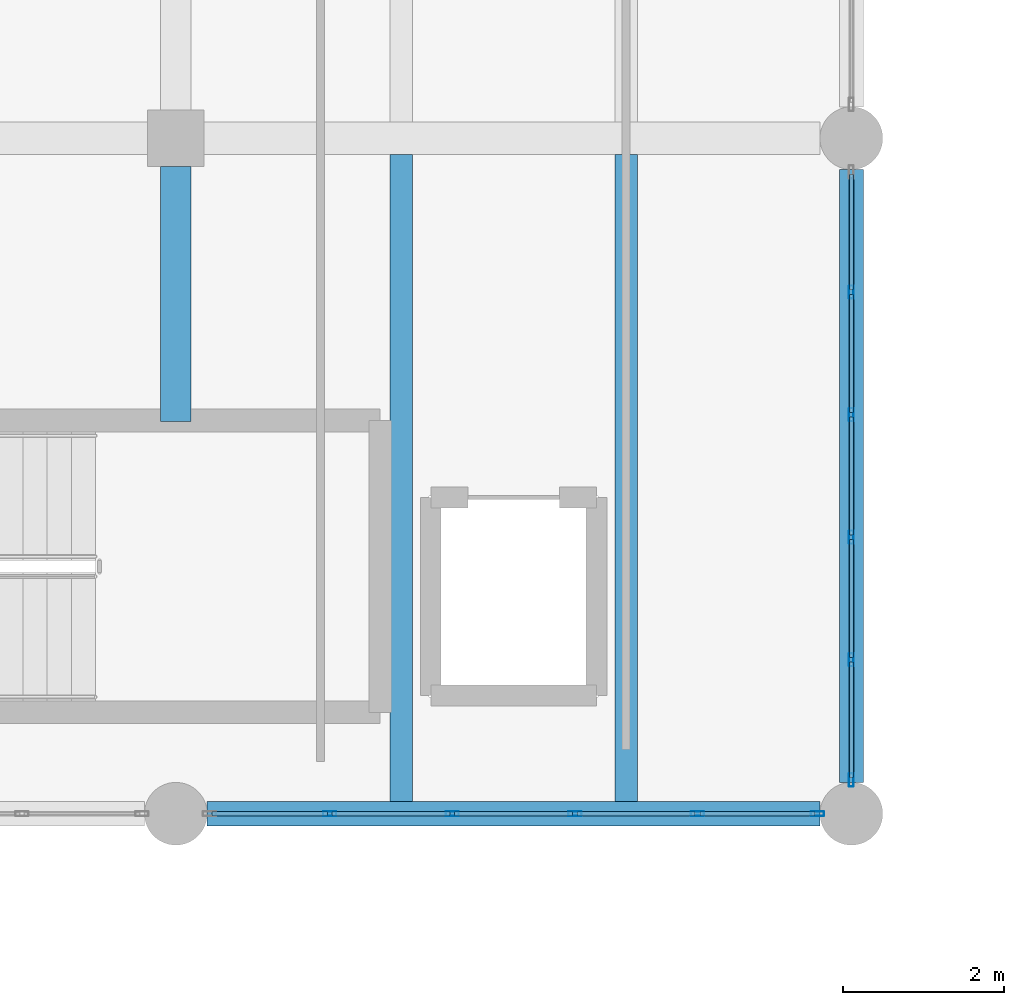
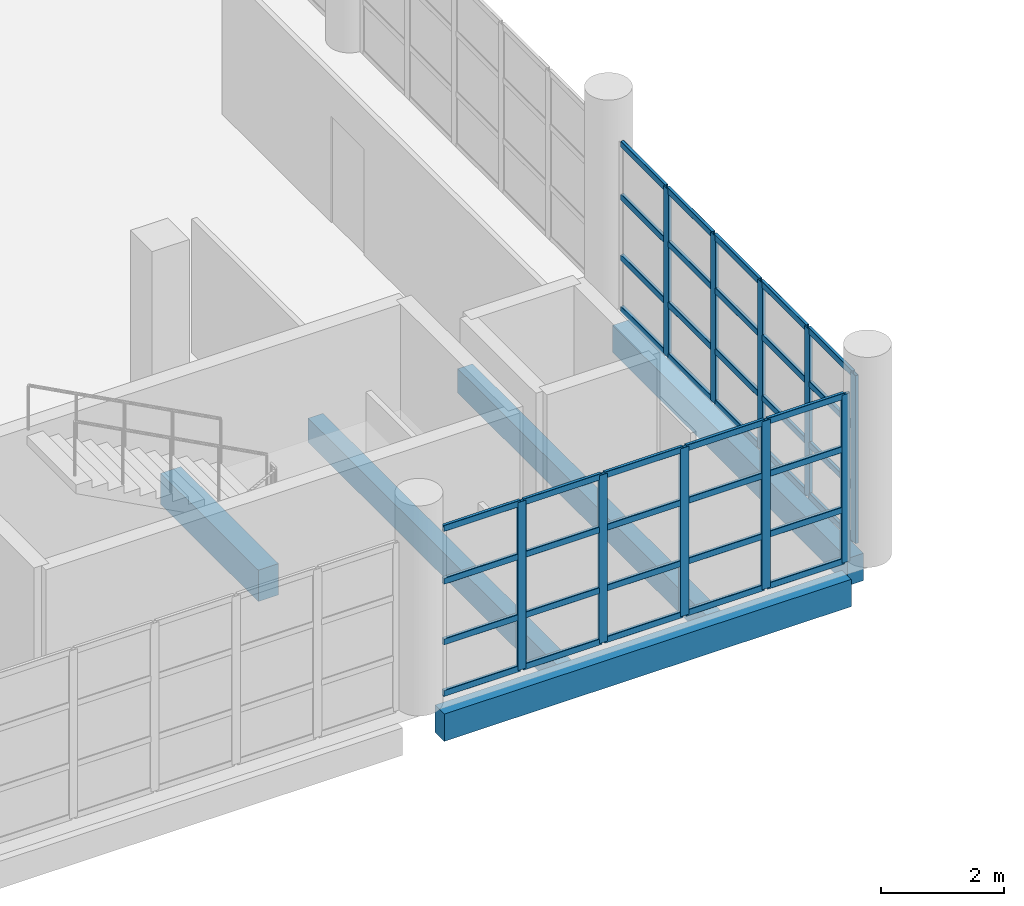
# One storey, part 87 of 177: 50 members, 5 beams, 2 elements without a shape of their own.
"""IFC4 building model written with IfcOpenShell, lengths in metres."""

from ifc_helpers import new_model, si_unit, direction, frame, origin, origin_2d, place, context, subcontext, project, spatial, rectangle, hollow_rectangle, extrude, material, layer, layer_set, material_profile, profile_set, type_object, element, aggregate, save


model = new_model("IFC4")

# Units and contexts
model_context = context("Model", 3, precision=1e-05, world=origin(), true_north=direction((0.0, 1.0)))
body_context = subcontext(model_context, "Body", "Model", "MODEL_VIEW")
ifc_project = project(units=[si_unit("LENGTHUNIT", "METRE"), si_unit("AREAUNIT", "SQUARE_METRE"), si_unit("VOLUMEUNIT", "CUBIC_METRE"), si_unit("PLANEANGLEUNIT", "RADIAN"), si_unit("MASSUNIT", "GRAM", prefix="KILO"), si_unit("THERMODYNAMICTEMPERATUREUNIT", "KELVIN"), si_unit("POWERUNIT", "WATT")], contexts=[model_context])

# Site, building, storey
site_placement = place(None, origin())
site = spatial("IfcSite", under=ifc_project, at=site_placement, CompositionType="ELEMENT")
building_placement = place(site_placement, origin())
building = spatial("IfcBuilding", under=site, at=building_placement, Name="Mavoryth Pier Ferry Terminal", CompositionType="ELEMENT")
storey_placement = place(building_placement, frame((0.0, 0.0, 5.43994140625)))
storey = spatial("IfcBuildingStorey", under=building, at=storey_placement, Name="L01", CompositionType="ELEMENT", Elevation=5.43994140625)

# Beams
ifc_material_1 = material(Name="Concrete C35/45", Category="concrete")
ifc_material_profile_1 = material_profile(ifc_material_1, rectangle(XDim=0.3798828125, YDim=0.6201171875, at=origin_2d()), Name="RC 380x620", Category="concrete")
ifc_profile_set_1 = profile_set([ifc_material_profile_1], Name="Concrete C35/45 - RC 380x620")
beam_type_1 = type_object("IfcBeamType", Name="Girder-RC-380x620", PredefinedType="BEAM", material=ifc_profile_set_1)
beam_1_placement = place(storey_placement, frame((84.0, 77.280029296875, -0.58984375), z_axis=(0.0, 1.0, 0.0), x_axis=(-1.0, 0.0, 0.0)))
element("IfcBeam", 1, at=beam_1_placement, inside=storey, type_object=beam_type_1, Name="Beam B01-BG06-0219", PredefinedType="BEAM", context=body_context, shape_type="SweptSolid", body=[
    extrude(rectangle(XDim=0.3798828125, YDim=0.6201171875, at=origin_2d()), origin(), (0.0, 0.0, 1.0), 3.169921875),
])
ifc_material_profile_2 = material_profile(ifc_material_1, rectangle(XDim=0.280029296875, YDim=0.47998046875, at=origin_2d()), Name="RC 280x480", Category="concrete")
ifc_profile_set_2 = profile_set([ifc_material_profile_2], Name="Concrete C35/45 - RC 280x480")
beam_type_2 = type_object("IfcBeamType", Name="Joist-RC-280x480", PredefinedType="JOIST", material=ifc_profile_set_2)
for number, where, z_axis, x_axis, name in (
    (2, (86.800048828125, 72.550048828125, -0.52001953125), (0.0, 1.0, 0.0), (-1.0, 0.0, 0.0), "Beam B01-BJ02-0251"),
    (3, (89.60009765625, 72.550048828125, -0.52001953125), (0.0, 1.0, 0.0), (-1.0, 0.0, 0.0), "Beam B01-BJ02-0252"),
):
    element("IfcBeam", number, at=place(storey_placement, frame(where, z_axis=z_axis, x_axis=x_axis)), inside=storey, type_object=beam_type_2, Name=name, PredefinedType="JOIST", context=body_context, shape_type="SweptSolid", body=[
        extrude(rectangle(XDim=0.280029296875, YDim=0.47998046875, at=origin_2d()), origin(), (0.0, 0.0, 1.0), 8.050048828125),
    ])

# Curtain wall, members
ifc_material_2 = material(Name="Anodised Aluminium and Solar-Control Low-E Glass", Category="aluminium")
ifc_layer = layer(ifc_material_2, 0.159912109375, Name="Anodised Aluminium and Solar-Control Low-E Glass", Category="aluminium")
ifc_layer_set = layer_set([ifc_layer], Name="Anodised Aluminium and Solar-Control Low-E Glass - CW-Arrivals-Mod1400")
curtain_wall_type = type_object("IfcCurtainWallType", Name="CW-Arrivals-Mod1400", PredefinedType="USERDEFINED", material=ifc_layer_set)
curtain_wall_1_placement = place(storey_placement, origin())
curtain_wall_1 = element("IfcCurtainWall", 4, at=curtain_wall_1_placement, inside=storey, type_object=curtain_wall_type, Name="Curtain Wall CW-0122-062", ObjectType="UNITISED CURTAIN WALL", PredefinedType="USERDEFINED")
ifc_material_3 = material(Name="Anodised Aluminium EN AW-6063", Category="aluminium")
ifc_material_profile_3 = material_profile(ifc_material_3, hollow_rectangle(XDim=0.06005859375, YDim=0.1650390625, WallThickness=0.00390625, InnerFilletRadius=0.00390625, OuterFilletRadius=0.008056640625, at=origin_2d()), Name="AL-MULL 165x60x4", Category="aluminium")
ifc_profile_set_3 = profile_set([ifc_material_profile_3], Name="Anodised Aluminium EN AW-6063 - AL-MULL 165x60x4")
member_type_1 = type_object("IfcMemberType", Name="Mullion-Alum-165x60", PredefinedType="MULLION", material=ifc_profile_set_3)
member_1_placement = place(storey_placement, frame((85.9140625, 72.39990234375, 0.0), z_axis=(0.0, 0.0, 1.0), x_axis=(0.0, 1.0, 0.0)))
member_1 = element("IfcMember", 5, at=member_1_placement, type_object=member_type_1, Name="CW04 mullion 2", PredefinedType="MULLION", context=body_context, shape_type="SweptSolid", body=[
    extrude(hollow_rectangle(XDim=0.06005859375, YDim=0.1650390625, WallThickness=0.00390625, InnerFilletRadius=0.00390625, OuterFilletRadius=0.008056640625, at=origin_2d()), origin(), (0.0, 0.0, 1.0), 3.324951171875),
])
member_2_placement = place(storey_placement, frame((87.43798828125, 72.39990234375, 0.0), z_axis=(0.0, 0.0, 1.0), x_axis=(0.0, 1.0, 0.0)))
member_2 = element("IfcMember", 6, at=member_2_placement, type_object=member_type_1, Name="CW04 mullion 3", PredefinedType="MULLION", context=body_context, shape_type="SweptSolid", body=[
    extrude(hollow_rectangle(XDim=0.06005859375, YDim=0.1650390625, WallThickness=0.00390625, InnerFilletRadius=0.00390625, OuterFilletRadius=0.008056640625, at=origin_2d()), origin(), (0.0, 0.0, 1.0), 3.324951171875),
])
member_3_placement = place(storey_placement, frame((88.9619140625, 72.39990234375, 0.0), z_axis=(0.0, 0.0, 1.0), x_axis=(0.0, 1.0, 0.0)))
member_3 = element("IfcMember", 7, at=member_3_placement, type_object=member_type_1, Name="CW04 mullion 4", PredefinedType="MULLION", context=body_context, shape_type="SweptSolid", body=[
    extrude(hollow_rectangle(XDim=0.06005859375, YDim=0.1650390625, WallThickness=0.00390625, InnerFilletRadius=0.00390625, OuterFilletRadius=0.008056640625, at=origin_2d()), origin(), (0.0, 0.0, 1.0), 3.324951171875),
])
member_4_placement = place(storey_placement, frame((90.486083984375, 72.39990234375, 0.0), z_axis=(0.0, 0.0, 1.0), x_axis=(0.0, 1.0, 0.0)))
member_4 = element("IfcMember", 8, at=member_4_placement, type_object=member_type_1, Name="CW04 mullion 5", PredefinedType="MULLION", context=body_context, shape_type="SweptSolid", body=[
    extrude(hollow_rectangle(XDim=0.06005859375, YDim=0.1650390625, WallThickness=0.00390625, InnerFilletRadius=0.00390625, OuterFilletRadius=0.008056640625, at=origin_2d()), origin(), (0.0, 0.0, 1.0), 3.324951171875),
])
member_5_placement = place(storey_placement, frame((91.97998046875, 72.39990234375, 0.0), z_axis=(0.0, 0.0, 1.0), x_axis=(0.0, 1.0, 0.0)))
member_5 = element("IfcMember", 9, at=member_5_placement, type_object=member_type_1, Name="CW04 mullion 6", PredefinedType="MULLION", context=body_context, shape_type="SweptSolid", body=[
    extrude(hollow_rectangle(XDim=0.06005859375, YDim=0.1650390625, WallThickness=0.00390625, InnerFilletRadius=0.00390625, OuterFilletRadius=0.008056640625, at=origin_2d()), origin(), (0.0, 0.0, 1.0), 3.324951171875),
])

curtain_wall_2_placement = place(storey_placement, origin())
curtain_wall_2 = element("IfcCurtainWall", 10, at=curtain_wall_2_placement, inside=storey, type_object=curtain_wall_type, Name="Curtain Wall CW-0122-065", ObjectType="UNITISED CURTAIN WALL", PredefinedType="USERDEFINED")
member_6_placement = place(storey_placement, frame((92.39990234375, 72.820068359375, 0.0), z_axis=(0.0, 0.0, 1.0), x_axis=(-1.0, 0.0, 0.0)))
member_6 = element("IfcMember", 11, at=member_6_placement, type_object=member_type_1, Name="CW04 mullion 1", PredefinedType="MULLION", context=body_context, shape_type="SweptSolid", body=[
    extrude(hollow_rectangle(XDim=0.06005859375, YDim=0.1650390625, WallThickness=0.00390625, InnerFilletRadius=0.00390625, OuterFilletRadius=0.008056640625, at=origin_2d()), origin(), (0.0, 0.0, 1.0), 3.324951171875),
])
member_7_placement = place(storey_placement, frame((92.39990234375, 74.31396484375, 0.0), z_axis=(0.0, 0.0, 1.0), x_axis=(-1.0, 0.0, 0.0)))
member_7 = element("IfcMember", 12, at=member_7_placement, type_object=member_type_1, Name="CW04 mullion 2", PredefinedType="MULLION", context=body_context, shape_type="SweptSolid", body=[
    extrude(hollow_rectangle(XDim=0.06005859375, YDim=0.1650390625, WallThickness=0.00390625, InnerFilletRadius=0.00390625, OuterFilletRadius=0.008056640625, at=origin_2d()), origin(), (0.0, 0.0, 1.0), 3.324951171875),
])
member_8_placement = place(storey_placement, frame((92.39990234375, 75.837890625, 0.0), z_axis=(0.0, 0.0, 1.0), x_axis=(-1.0, 0.0, 0.0)))
member_8 = element("IfcMember", 13, at=member_8_placement, type_object=member_type_1, Name="CW04 mullion 3", PredefinedType="MULLION", context=body_context, shape_type="SweptSolid", body=[
    extrude(hollow_rectangle(XDim=0.06005859375, YDim=0.1650390625, WallThickness=0.00390625, InnerFilletRadius=0.00390625, OuterFilletRadius=0.008056640625, at=origin_2d()), origin(), (0.0, 0.0, 1.0), 3.324951171875),
])
member_9_placement = place(storey_placement, frame((92.39990234375, 77.362060546875, 0.0), z_axis=(0.0, 0.0, 1.0), x_axis=(-1.0, 0.0, 0.0)))
member_9 = element("IfcMember", 14, at=member_9_placement, type_object=member_type_1, Name="CW04 mullion 4", PredefinedType="MULLION", context=body_context, shape_type="SweptSolid", body=[
    extrude(hollow_rectangle(XDim=0.06005859375, YDim=0.1650390625, WallThickness=0.00390625, InnerFilletRadius=0.00390625, OuterFilletRadius=0.008056640625, at=origin_2d()), origin(), (0.0, 0.0, 1.0), 3.324951171875),
])
member_10_placement = place(storey_placement, frame((92.39990234375, 78.885986328125, 0.0), z_axis=(0.0, 0.0, 1.0), x_axis=(-1.0, 0.0, 0.0)))
member_10 = element("IfcMember", 15, at=member_10_placement, type_object=member_type_1, Name="CW04 mullion 5", PredefinedType="MULLION", context=body_context, shape_type="SweptSolid", body=[
    extrude(hollow_rectangle(XDim=0.06005859375, YDim=0.1650390625, WallThickness=0.00390625, InnerFilletRadius=0.00390625, OuterFilletRadius=0.008056640625, at=origin_2d()), origin(), (0.0, 0.0, 1.0), 3.324951171875),
])

# Beams
ifc_material_profile_4 = material_profile(ifc_material_1, rectangle(XDim=0.300048828125, YDim=0.5400390625, at=origin_2d()), Name="RC 300x540", Category="concrete")
ifc_profile_set_4 = profile_set([ifc_material_profile_4], Name="Concrete C35/45 - RC 300x540")
beam_type_3 = type_object("IfcBeamType", Name="Spandrel-RC-300x540", PredefinedType="SPANDREL", material=ifc_profile_set_4)
beam_2_placement = place(storey_placement, frame((84.389892578125, 72.39990234375, -0.550048828125), z_axis=(1.0, 0.0, 0.0), x_axis=(0.0, 1.0, 0.0)))
element("IfcBeam", 16, at=beam_2_placement, inside=storey, type_object=beam_type_3, Name="Beam B01-SP02-0183", PredefinedType="SPANDREL", context=body_context, shape_type="SweptSolid", body=[
    extrude(rectangle(XDim=0.300048828125, YDim=0.5400390625, at=origin_2d()), origin(), (0.0, 0.0, 1.0), 7.6201171875),
])
beam_3_placement = place(storey_placement, frame((92.39990234375, 72.7900390625, -0.550048828125), z_axis=(0.0, 1.0, 0.0), x_axis=(-1.0, 0.0, 0.0)))
element("IfcBeam", 17, at=beam_3_placement, inside=storey, type_object=beam_type_3, Name="Beam B01-SP02-0223", PredefinedType="SPANDREL", context=body_context, shape_type="SweptSolid", body=[
    extrude(rectangle(XDim=0.300048828125, YDim=0.5400390625, at=origin_2d()), origin(), (0.0, 0.0, 1.0), 7.619873046875),
])

# Member
ifc_material_profile_5 = material_profile(ifc_material_3, hollow_rectangle(XDim=0.06005859375, YDim=0.125, WallThickness=0.00390625, InnerFilletRadius=0.00390625, OuterFilletRadius=0.008056640625, at=origin_2d()), Name="AL-TRAN 125x60x4", Category="aluminium")
ifc_profile_set_5 = profile_set([ifc_material_profile_5], Name="Anodised Aluminium EN AW-6063 - AL-TRAN 125x60x4")
member_type_2 = type_object("IfcMemberType", Name="Transom-Alum-125x60", PredefinedType="USERDEFINED", material=ifc_profile_set_5)
member_11_placement = place(storey_placement, frame((84.449951171875, 72.39990234375, 0.030029296875), z_axis=(1.0, 0.0, 0.0), x_axis=(0.0, 1.0, 0.0)))
member_11 = element("IfcMember", 18, at=member_11_placement, type_object=member_type_2, Name="CW04 transom 1.1", ObjectType="TRANSOM", PredefinedType="USERDEFINED", context=body_context, shape_type="SweptSolid", body=[
    extrude(hollow_rectangle(XDim=0.06005859375, YDim=0.125, WallThickness=0.00390625, InnerFilletRadius=0.00390625, OuterFilletRadius=0.008056640625, at=origin_2d()), origin(), (0.0, 0.0, 1.0), 1.43408203125),
])

member_12_placement = place(storey_placement, frame((84.449951171875, 72.39990234375, 1.050048828125), z_axis=(1.0, 0.0, 0.0), x_axis=(0.0, 1.0, 0.0)))
member_12 = element("IfcMember", 19, at=member_12_placement, type_object=member_type_2, Name="CW04 transom 1.2", ObjectType="TRANSOM", PredefinedType="USERDEFINED", context=body_context, shape_type="SweptSolid", body=[
    extrude(hollow_rectangle(XDim=0.06005859375, YDim=0.125, WallThickness=0.00390625, InnerFilletRadius=0.00390625, OuterFilletRadius=0.008056640625, at=origin_2d()), origin(), (0.0, 0.0, 1.0), 1.43408203125),
])

member_13_placement = place(storey_placement, frame((84.449951171875, 72.39990234375, 2.25), z_axis=(1.0, 0.0, 0.0), x_axis=(0.0, 1.0, 0.0)))
member_13 = element("IfcMember", 20, at=member_13_placement, type_object=member_type_2, Name="CW04 transom 1.3", ObjectType="TRANSOM", PredefinedType="USERDEFINED", context=body_context, shape_type="SweptSolid", body=[
    extrude(hollow_rectangle(XDim=0.06005859375, YDim=0.125, WallThickness=0.00390625, InnerFilletRadius=0.00390625, OuterFilletRadius=0.008056640625, at=origin_2d()), origin(), (0.0, 0.0, 1.0), 1.43408203125),
])

member_14_placement = place(storey_placement, frame((84.449951171875, 72.39990234375, 3.295166015625), z_axis=(1.0, 0.0, 0.0), x_axis=(0.0, 1.0, 0.0)))
member_14 = element("IfcMember", 21, at=member_14_placement, type_object=member_type_2, Name="CW04 transom 1.4", ObjectType="TRANSOM", PredefinedType="USERDEFINED", context=body_context, shape_type="SweptSolid", body=[
    extrude(hollow_rectangle(XDim=0.06005859375, YDim=0.125, WallThickness=0.00390625, InnerFilletRadius=0.00390625, OuterFilletRadius=0.008056640625, at=origin_2d()), origin(), (0.0, 0.0, 1.0), 1.43408203125),
])

member_15_placement = place(storey_placement, frame((85.944091796875, 72.39990234375, 0.030029296875), z_axis=(1.0, 0.0, 0.0), x_axis=(0.0, 1.0, 0.0)))
member_15 = element("IfcMember", 22, at=member_15_placement, type_object=member_type_2, Name="CW04 transom 2.1", ObjectType="TRANSOM", PredefinedType="USERDEFINED", context=body_context, shape_type="SweptSolid", body=[
    extrude(hollow_rectangle(XDim=0.06005859375, YDim=0.125, WallThickness=0.00390625, InnerFilletRadius=0.00390625, OuterFilletRadius=0.008056640625, at=origin_2d()), origin(), (0.0, 0.0, 1.0), 1.4638671875),
])

member_16_placement = place(storey_placement, frame((85.944091796875, 72.39990234375, 1.050048828125), z_axis=(1.0, 0.0, 0.0), x_axis=(0.0, 1.0, 0.0)))
member_16 = element("IfcMember", 23, at=member_16_placement, type_object=member_type_2, Name="CW04 transom 2.2", ObjectType="TRANSOM", PredefinedType="USERDEFINED", context=body_context, shape_type="SweptSolid", body=[
    extrude(hollow_rectangle(XDim=0.06005859375, YDim=0.125, WallThickness=0.00390625, InnerFilletRadius=0.00390625, OuterFilletRadius=0.008056640625, at=origin_2d()), origin(), (0.0, 0.0, 1.0), 1.4638671875),
])

member_17_placement = place(storey_placement, frame((85.944091796875, 72.39990234375, 2.25), z_axis=(1.0, 0.0, 0.0), x_axis=(0.0, 1.0, 0.0)))
member_17 = element("IfcMember", 24, at=member_17_placement, type_object=member_type_2, Name="CW04 transom 2.3", ObjectType="TRANSOM", PredefinedType="USERDEFINED", context=body_context, shape_type="SweptSolid", body=[
    extrude(hollow_rectangle(XDim=0.06005859375, YDim=0.125, WallThickness=0.00390625, InnerFilletRadius=0.00390625, OuterFilletRadius=0.008056640625, at=origin_2d()), origin(), (0.0, 0.0, 1.0), 1.4638671875),
])

member_18_placement = place(storey_placement, frame((85.944091796875, 72.39990234375, 3.295166015625), z_axis=(1.0, 0.0, 0.0), x_axis=(0.0, 1.0, 0.0)))
member_18 = element("IfcMember", 25, at=member_18_placement, type_object=member_type_2, Name="CW04 transom 2.4", ObjectType="TRANSOM", PredefinedType="USERDEFINED", context=body_context, shape_type="SweptSolid", body=[
    extrude(hollow_rectangle(XDim=0.06005859375, YDim=0.125, WallThickness=0.00390625, InnerFilletRadius=0.00390625, OuterFilletRadius=0.008056640625, at=origin_2d()), origin(), (0.0, 0.0, 1.0), 1.4638671875),
])

member_19_placement = place(storey_placement, frame((87.468017578125, 72.39990234375, 0.030029296875), z_axis=(1.0, 0.0, 0.0), x_axis=(0.0, 1.0, 0.0)))
member_19 = element("IfcMember", 26, at=member_19_placement, type_object=member_type_2, Name="CW04 transom 3.1", ObjectType="TRANSOM", PredefinedType="USERDEFINED", context=body_context, shape_type="SweptSolid", body=[
    extrude(hollow_rectangle(XDim=0.06005859375, YDim=0.125, WallThickness=0.00390625, InnerFilletRadius=0.00390625, OuterFilletRadius=0.008056640625, at=origin_2d()), origin(), (0.0, 0.0, 1.0), 1.4638671875),
])

member_20_placement = place(storey_placement, frame((87.468017578125, 72.39990234375, 1.050048828125), z_axis=(1.0, 0.0, 0.0), x_axis=(0.0, 1.0, 0.0)))
member_20 = element("IfcMember", 27, at=member_20_placement, type_object=member_type_2, Name="CW04 transom 3.2", ObjectType="TRANSOM", PredefinedType="USERDEFINED", context=body_context, shape_type="SweptSolid", body=[
    extrude(hollow_rectangle(XDim=0.06005859375, YDim=0.125, WallThickness=0.00390625, InnerFilletRadius=0.00390625, OuterFilletRadius=0.008056640625, at=origin_2d()), origin(), (0.0, 0.0, 1.0), 1.4638671875),
])

member_21_placement = place(storey_placement, frame((87.468017578125, 72.39990234375, 2.25), z_axis=(1.0, 0.0, 0.0), x_axis=(0.0, 1.0, 0.0)))
member_21 = element("IfcMember", 28, at=member_21_placement, type_object=member_type_2, Name="CW04 transom 3.3", ObjectType="TRANSOM", PredefinedType="USERDEFINED", context=body_context, shape_type="SweptSolid", body=[
    extrude(hollow_rectangle(XDim=0.06005859375, YDim=0.125, WallThickness=0.00390625, InnerFilletRadius=0.00390625, OuterFilletRadius=0.008056640625, at=origin_2d()), origin(), (0.0, 0.0, 1.0), 1.4638671875),
])

member_22_placement = place(storey_placement, frame((87.468017578125, 72.39990234375, 3.295166015625), z_axis=(1.0, 0.0, 0.0), x_axis=(0.0, 1.0, 0.0)))
member_22 = element("IfcMember", 29, at=member_22_placement, type_object=member_type_2, Name="CW04 transom 3.4", ObjectType="TRANSOM", PredefinedType="USERDEFINED", context=body_context, shape_type="SweptSolid", body=[
    extrude(hollow_rectangle(XDim=0.06005859375, YDim=0.125, WallThickness=0.00390625, InnerFilletRadius=0.00390625, OuterFilletRadius=0.008056640625, at=origin_2d()), origin(), (0.0, 0.0, 1.0), 1.4638671875),
])

member_23_placement = place(storey_placement, frame((88.991943359375, 72.39990234375, 0.030029296875), z_axis=(1.0, 0.0, 0.0), x_axis=(0.0, 1.0, 0.0)))
member_23 = element("IfcMember", 30, at=member_23_placement, type_object=member_type_2, Name="CW04 transom 4.1", ObjectType="TRANSOM", PredefinedType="USERDEFINED", context=body_context, shape_type="SweptSolid", body=[
    extrude(hollow_rectangle(XDim=0.06005859375, YDim=0.125, WallThickness=0.00390625, InnerFilletRadius=0.00390625, OuterFilletRadius=0.008056640625, at=origin_2d()), origin(), (0.0, 0.0, 1.0), 1.464111328125),
])

member_24_placement = place(storey_placement, frame((88.991943359375, 72.39990234375, 1.050048828125), z_axis=(1.0, 0.0, 0.0), x_axis=(0.0, 1.0, 0.0)))
member_24 = element("IfcMember", 31, at=member_24_placement, type_object=member_type_2, Name="CW04 transom 4.2", ObjectType="TRANSOM", PredefinedType="USERDEFINED", context=body_context, shape_type="SweptSolid", body=[
    extrude(hollow_rectangle(XDim=0.06005859375, YDim=0.125, WallThickness=0.00390625, InnerFilletRadius=0.00390625, OuterFilletRadius=0.008056640625, at=origin_2d()), origin(), (0.0, 0.0, 1.0), 1.464111328125),
])

member_25_placement = place(storey_placement, frame((88.991943359375, 72.39990234375, 2.25), z_axis=(1.0, 0.0, 0.0), x_axis=(0.0, 1.0, 0.0)))
member_25 = element("IfcMember", 32, at=member_25_placement, type_object=member_type_2, Name="CW04 transom 4.3", ObjectType="TRANSOM", PredefinedType="USERDEFINED", context=body_context, shape_type="SweptSolid", body=[
    extrude(hollow_rectangle(XDim=0.06005859375, YDim=0.125, WallThickness=0.00390625, InnerFilletRadius=0.00390625, OuterFilletRadius=0.008056640625, at=origin_2d()), origin(), (0.0, 0.0, 1.0), 1.464111328125),
])

member_26_placement = place(storey_placement, frame((88.991943359375, 72.39990234375, 3.295166015625), z_axis=(1.0, 0.0, 0.0), x_axis=(0.0, 1.0, 0.0)))
member_26 = element("IfcMember", 33, at=member_26_placement, type_object=member_type_2, Name="CW04 transom 4.4", ObjectType="TRANSOM", PredefinedType="USERDEFINED", context=body_context, shape_type="SweptSolid", body=[
    extrude(hollow_rectangle(XDim=0.06005859375, YDim=0.125, WallThickness=0.00390625, InnerFilletRadius=0.00390625, OuterFilletRadius=0.008056640625, at=origin_2d()), origin(), (0.0, 0.0, 1.0), 1.464111328125),
])

member_27_placement = place(storey_placement, frame((90.51611328125, 72.39990234375, 0.030029296875), z_axis=(1.0, 0.0, 0.0), x_axis=(0.0, 1.0, 0.0)))
member_27 = element("IfcMember", 34, at=member_27_placement, type_object=member_type_2, Name="CW04 transom 5.1", ObjectType="TRANSOM", PredefinedType="USERDEFINED", context=body_context, shape_type="SweptSolid", body=[
    extrude(hollow_rectangle(XDim=0.06005859375, YDim=0.125, WallThickness=0.00390625, InnerFilletRadius=0.00390625, OuterFilletRadius=0.008056640625, at=origin_2d()), origin(), (0.0, 0.0, 1.0), 1.433837890625),
])

member_28_placement = place(storey_placement, frame((90.51611328125, 72.39990234375, 1.050048828125), z_axis=(1.0, 0.0, 0.0), x_axis=(0.0, 1.0, 0.0)))
member_28 = element("IfcMember", 35, at=member_28_placement, type_object=member_type_2, Name="CW04 transom 5.2", ObjectType="TRANSOM", PredefinedType="USERDEFINED", context=body_context, shape_type="SweptSolid", body=[
    extrude(hollow_rectangle(XDim=0.06005859375, YDim=0.125, WallThickness=0.00390625, InnerFilletRadius=0.00390625, OuterFilletRadius=0.008056640625, at=origin_2d()), origin(), (0.0, 0.0, 1.0), 1.433837890625),
])

member_29_placement = place(storey_placement, frame((90.51611328125, 72.39990234375, 2.25), z_axis=(1.0, 0.0, 0.0), x_axis=(0.0, 1.0, 0.0)))
member_29 = element("IfcMember", 36, at=member_29_placement, type_object=member_type_2, Name="CW04 transom 5.3", ObjectType="TRANSOM", PredefinedType="USERDEFINED", context=body_context, shape_type="SweptSolid", body=[
    extrude(hollow_rectangle(XDim=0.06005859375, YDim=0.125, WallThickness=0.00390625, InnerFilletRadius=0.00390625, OuterFilletRadius=0.008056640625, at=origin_2d()), origin(), (0.0, 0.0, 1.0), 1.433837890625),
])

member_30_placement = place(storey_placement, frame((90.51611328125, 72.39990234375, 3.295166015625), z_axis=(1.0, 0.0, 0.0), x_axis=(0.0, 1.0, 0.0)))
member_30 = element("IfcMember", 37, at=member_30_placement, type_object=member_type_2, Name="CW04 transom 5.4", ObjectType="TRANSOM", PredefinedType="USERDEFINED", context=body_context, shape_type="SweptSolid", body=[
    extrude(hollow_rectangle(XDim=0.06005859375, YDim=0.125, WallThickness=0.00390625, InnerFilletRadius=0.00390625, OuterFilletRadius=0.008056640625, at=origin_2d()), origin(), (0.0, 0.0, 1.0), 1.433837890625),
])

aggregate(curtain_wall_1, [member_1, member_2, member_3, member_4, member_5, member_11, member_12, member_13, member_14, member_15, member_16, member_17, member_18, member_19, member_20, member_21, member_22, member_23, member_24, member_25, member_26, member_27, member_28, member_29, member_30])

member_31_placement = place(storey_placement, frame((92.39990234375, 72.85009765625, 0.030029296875), z_axis=(0.0, 1.0, 0.0), x_axis=(-1.0, 0.0, 0.0)))
member_31 = element("IfcMember", 38, at=member_31_placement, type_object=member_type_2, Name="CW04 transom 1.1", ObjectType="TRANSOM", PredefinedType="USERDEFINED", context=body_context, shape_type="SweptSolid", body=[
    extrude(hollow_rectangle(XDim=0.06005859375, YDim=0.125, WallThickness=0.00390625, InnerFilletRadius=0.00390625, OuterFilletRadius=0.008056640625, at=origin_2d()), origin(), (0.0, 0.0, 1.0), 1.433837890625),
])

member_32_placement = place(storey_placement, frame((92.39990234375, 72.85009765625, 1.050048828125), z_axis=(0.0, 1.0, 0.0), x_axis=(-1.0, 0.0, 0.0)))
member_32 = element("IfcMember", 39, at=member_32_placement, type_object=member_type_2, Name="CW04 transom 1.2", ObjectType="TRANSOM", PredefinedType="USERDEFINED", context=body_context, shape_type="SweptSolid", body=[
    extrude(hollow_rectangle(XDim=0.06005859375, YDim=0.125, WallThickness=0.00390625, InnerFilletRadius=0.00390625, OuterFilletRadius=0.008056640625, at=origin_2d()), origin(), (0.0, 0.0, 1.0), 1.433837890625),
])

member_33_placement = place(storey_placement, frame((92.39990234375, 72.85009765625, 2.25), z_axis=(0.0, 1.0, 0.0), x_axis=(-1.0, 0.0, 0.0)))
member_33 = element("IfcMember", 40, at=member_33_placement, type_object=member_type_2, Name="CW04 transom 1.3", ObjectType="TRANSOM", PredefinedType="USERDEFINED", context=body_context, shape_type="SweptSolid", body=[
    extrude(hollow_rectangle(XDim=0.06005859375, YDim=0.125, WallThickness=0.00390625, InnerFilletRadius=0.00390625, OuterFilletRadius=0.008056640625, at=origin_2d()), origin(), (0.0, 0.0, 1.0), 1.433837890625),
])

member_34_placement = place(storey_placement, frame((92.39990234375, 72.85009765625, 3.295166015625), z_axis=(0.0, 1.0, 0.0), x_axis=(-1.0, 0.0, 0.0)))
member_34 = element("IfcMember", 41, at=member_34_placement, type_object=member_type_2, Name="CW04 transom 1.4", ObjectType="TRANSOM", PredefinedType="USERDEFINED", context=body_context, shape_type="SweptSolid", body=[
    extrude(hollow_rectangle(XDim=0.06005859375, YDim=0.125, WallThickness=0.00390625, InnerFilletRadius=0.00390625, OuterFilletRadius=0.008056640625, at=origin_2d()), origin(), (0.0, 0.0, 1.0), 1.433837890625),
])

member_35_placement = place(storey_placement, frame((92.39990234375, 74.343994140625, 0.030029296875), z_axis=(0.0, 1.0, 0.0), x_axis=(-1.0, 0.0, 0.0)))
member_35 = element("IfcMember", 42, at=member_35_placement, type_object=member_type_2, Name="CW04 transom 2.1", ObjectType="TRANSOM", PredefinedType="USERDEFINED", context=body_context, shape_type="SweptSolid", body=[
    extrude(hollow_rectangle(XDim=0.06005859375, YDim=0.125, WallThickness=0.00390625, InnerFilletRadius=0.00390625, OuterFilletRadius=0.008056640625, at=origin_2d()), origin(), (0.0, 0.0, 1.0), 1.464111328125),
])

member_36_placement = place(storey_placement, frame((92.39990234375, 74.343994140625, 1.050048828125), z_axis=(0.0, 1.0, 0.0), x_axis=(-1.0, 0.0, 0.0)))
member_36 = element("IfcMember", 43, at=member_36_placement, type_object=member_type_2, Name="CW04 transom 2.2", ObjectType="TRANSOM", PredefinedType="USERDEFINED", context=body_context, shape_type="SweptSolid", body=[
    extrude(hollow_rectangle(XDim=0.06005859375, YDim=0.125, WallThickness=0.00390625, InnerFilletRadius=0.00390625, OuterFilletRadius=0.008056640625, at=origin_2d()), origin(), (0.0, 0.0, 1.0), 1.464111328125),
])

member_37_placement = place(storey_placement, frame((92.39990234375, 74.343994140625, 2.25), z_axis=(0.0, 1.0, 0.0), x_axis=(-1.0, 0.0, 0.0)))
member_37 = element("IfcMember", 44, at=member_37_placement, type_object=member_type_2, Name="CW04 transom 2.3", ObjectType="TRANSOM", PredefinedType="USERDEFINED", context=body_context, shape_type="SweptSolid", body=[
    extrude(hollow_rectangle(XDim=0.06005859375, YDim=0.125, WallThickness=0.00390625, InnerFilletRadius=0.00390625, OuterFilletRadius=0.008056640625, at=origin_2d()), origin(), (0.0, 0.0, 1.0), 1.464111328125),
])

member_38_placement = place(storey_placement, frame((92.39990234375, 74.343994140625, 3.295166015625), z_axis=(0.0, 1.0, 0.0), x_axis=(-1.0, 0.0, 0.0)))
member_38 = element("IfcMember", 45, at=member_38_placement, type_object=member_type_2, Name="CW04 transom 2.4", ObjectType="TRANSOM", PredefinedType="USERDEFINED", context=body_context, shape_type="SweptSolid", body=[
    extrude(hollow_rectangle(XDim=0.06005859375, YDim=0.125, WallThickness=0.00390625, InnerFilletRadius=0.00390625, OuterFilletRadius=0.008056640625, at=origin_2d()), origin(), (0.0, 0.0, 1.0), 1.464111328125),
])

member_39_placement = place(storey_placement, frame((92.39990234375, 75.867919921875, 0.030029296875), z_axis=(0.0, 1.0, 0.0), x_axis=(-1.0, 0.0, 0.0)))
member_39 = element("IfcMember", 46, at=member_39_placement, type_object=member_type_2, Name="CW04 transom 3.1", ObjectType="TRANSOM", PredefinedType="USERDEFINED", context=body_context, shape_type="SweptSolid", body=[
    extrude(hollow_rectangle(XDim=0.06005859375, YDim=0.125, WallThickness=0.00390625, InnerFilletRadius=0.00390625, OuterFilletRadius=0.008056640625, at=origin_2d()), origin(), (0.0, 0.0, 1.0), 1.464111328125),
])

member_40_placement = place(storey_placement, frame((92.39990234375, 75.867919921875, 1.050048828125), z_axis=(0.0, 1.0, 0.0), x_axis=(-1.0, 0.0, 0.0)))
member_40 = element("IfcMember", 47, at=member_40_placement, type_object=member_type_2, Name="CW04 transom 3.2", ObjectType="TRANSOM", PredefinedType="USERDEFINED", context=body_context, shape_type="SweptSolid", body=[
    extrude(hollow_rectangle(XDim=0.06005859375, YDim=0.125, WallThickness=0.00390625, InnerFilletRadius=0.00390625, OuterFilletRadius=0.008056640625, at=origin_2d()), origin(), (0.0, 0.0, 1.0), 1.464111328125),
])

member_41_placement = place(storey_placement, frame((92.39990234375, 75.867919921875, 2.25), z_axis=(0.0, 1.0, 0.0), x_axis=(-1.0, 0.0, 0.0)))
member_41 = element("IfcMember", 48, at=member_41_placement, type_object=member_type_2, Name="CW04 transom 3.3", ObjectType="TRANSOM", PredefinedType="USERDEFINED", context=body_context, shape_type="SweptSolid", body=[
    extrude(hollow_rectangle(XDim=0.06005859375, YDim=0.125, WallThickness=0.00390625, InnerFilletRadius=0.00390625, OuterFilletRadius=0.008056640625, at=origin_2d()), origin(), (0.0, 0.0, 1.0), 1.464111328125),
])

member_42_placement = place(storey_placement, frame((92.39990234375, 75.867919921875, 3.295166015625), z_axis=(0.0, 1.0, 0.0), x_axis=(-1.0, 0.0, 0.0)))
member_42 = element("IfcMember", 49, at=member_42_placement, type_object=member_type_2, Name="CW04 transom 3.4", ObjectType="TRANSOM", PredefinedType="USERDEFINED", context=body_context, shape_type="SweptSolid", body=[
    extrude(hollow_rectangle(XDim=0.06005859375, YDim=0.125, WallThickness=0.00390625, InnerFilletRadius=0.00390625, OuterFilletRadius=0.008056640625, at=origin_2d()), origin(), (0.0, 0.0, 1.0), 1.464111328125),
])

member_43_placement = place(storey_placement, frame((92.39990234375, 77.39208984375, 0.030029296875), z_axis=(0.0, 1.0, 0.0), x_axis=(-1.0, 0.0, 0.0)))
member_43 = element("IfcMember", 50, at=member_43_placement, type_object=member_type_2, Name="CW04 transom 4.1", ObjectType="TRANSOM", PredefinedType="USERDEFINED", context=body_context, shape_type="SweptSolid", body=[
    extrude(hollow_rectangle(XDim=0.06005859375, YDim=0.125, WallThickness=0.00390625, InnerFilletRadius=0.00390625, OuterFilletRadius=0.008056640625, at=origin_2d()), origin(), (0.0, 0.0, 1.0), 1.4638671875),
])

member_44_placement = place(storey_placement, frame((92.39990234375, 77.39208984375, 1.050048828125), z_axis=(0.0, 1.0, 0.0), x_axis=(-1.0, 0.0, 0.0)))
member_44 = element("IfcMember", 51, at=member_44_placement, type_object=member_type_2, Name="CW04 transom 4.2", ObjectType="TRANSOM", PredefinedType="USERDEFINED", context=body_context, shape_type="SweptSolid", body=[
    extrude(hollow_rectangle(XDim=0.06005859375, YDim=0.125, WallThickness=0.00390625, InnerFilletRadius=0.00390625, OuterFilletRadius=0.008056640625, at=origin_2d()), origin(), (0.0, 0.0, 1.0), 1.4638671875),
])

member_45_placement = place(storey_placement, frame((92.39990234375, 77.39208984375, 2.25), z_axis=(0.0, 1.0, 0.0), x_axis=(-1.0, 0.0, 0.0)))
member_45 = element("IfcMember", 52, at=member_45_placement, type_object=member_type_2, Name="CW04 transom 4.3", ObjectType="TRANSOM", PredefinedType="USERDEFINED", context=body_context, shape_type="SweptSolid", body=[
    extrude(hollow_rectangle(XDim=0.06005859375, YDim=0.125, WallThickness=0.00390625, InnerFilletRadius=0.00390625, OuterFilletRadius=0.008056640625, at=origin_2d()), origin(), (0.0, 0.0, 1.0), 1.4638671875),
])

member_46_placement = place(storey_placement, frame((92.39990234375, 77.39208984375, 3.295166015625), z_axis=(0.0, 1.0, 0.0), x_axis=(-1.0, 0.0, 0.0)))
member_46 = element("IfcMember", 53, at=member_46_placement, type_object=member_type_2, Name="CW04 transom 4.4", ObjectType="TRANSOM", PredefinedType="USERDEFINED", context=body_context, shape_type="SweptSolid", body=[
    extrude(hollow_rectangle(XDim=0.06005859375, YDim=0.125, WallThickness=0.00390625, InnerFilletRadius=0.00390625, OuterFilletRadius=0.008056640625, at=origin_2d()), origin(), (0.0, 0.0, 1.0), 1.4638671875),
])

member_47_placement = place(storey_placement, frame((92.39990234375, 78.916015625, 0.030029296875), z_axis=(0.0, 1.0, 0.0), x_axis=(-1.0, 0.0, 0.0)))
member_47 = element("IfcMember", 54, at=member_47_placement, type_object=member_type_2, Name="CW04 transom 5.1", ObjectType="TRANSOM", PredefinedType="USERDEFINED", context=body_context, shape_type="SweptSolid", body=[
    extrude(hollow_rectangle(XDim=0.06005859375, YDim=0.125, WallThickness=0.00390625, InnerFilletRadius=0.00390625, OuterFilletRadius=0.008056640625, at=origin_2d()), origin(), (0.0, 0.0, 1.0), 1.43408203125),
])

member_48_placement = place(storey_placement, frame((92.39990234375, 78.916015625, 1.050048828125), z_axis=(0.0, 1.0, 0.0), x_axis=(-1.0, 0.0, 0.0)))
member_48 = element("IfcMember", 55, at=member_48_placement, type_object=member_type_2, Name="CW04 transom 5.2", ObjectType="TRANSOM", PredefinedType="USERDEFINED", context=body_context, shape_type="SweptSolid", body=[
    extrude(hollow_rectangle(XDim=0.06005859375, YDim=0.125, WallThickness=0.00390625, InnerFilletRadius=0.00390625, OuterFilletRadius=0.008056640625, at=origin_2d()), origin(), (0.0, 0.0, 1.0), 1.43408203125),
])

member_49_placement = place(storey_placement, frame((92.39990234375, 78.916015625, 2.25), z_axis=(0.0, 1.0, 0.0), x_axis=(-1.0, 0.0, 0.0)))
member_49 = element("IfcMember", 56, at=member_49_placement, type_object=member_type_2, Name="CW04 transom 5.3", ObjectType="TRANSOM", PredefinedType="USERDEFINED", context=body_context, shape_type="SweptSolid", body=[
    extrude(hollow_rectangle(XDim=0.06005859375, YDim=0.125, WallThickness=0.00390625, InnerFilletRadius=0.00390625, OuterFilletRadius=0.008056640625, at=origin_2d()), origin(), (0.0, 0.0, 1.0), 1.43408203125),
])

member_50_placement = place(storey_placement, frame((92.39990234375, 78.916015625, 3.295166015625), z_axis=(0.0, 1.0, 0.0), x_axis=(-1.0, 0.0, 0.0)))
member_50 = element("IfcMember", 57, at=member_50_placement, type_object=member_type_2, Name="CW04 transom 5.4", ObjectType="TRANSOM", PredefinedType="USERDEFINED", context=body_context, shape_type="SweptSolid", body=[
    extrude(hollow_rectangle(XDim=0.06005859375, YDim=0.125, WallThickness=0.00390625, InnerFilletRadius=0.00390625, OuterFilletRadius=0.008056640625, at=origin_2d()), origin(), (0.0, 0.0, 1.0), 1.43408203125),
])

aggregate(curtain_wall_2, [member_6, member_7, member_8, member_9, member_10, member_31, member_32, member_33, member_34, member_35, member_36, member_37, member_38, member_39, member_40, member_41, member_42, member_43, member_44, member_45, member_46, member_47, member_48, member_49, member_50])

save(model, "model.ifc")
